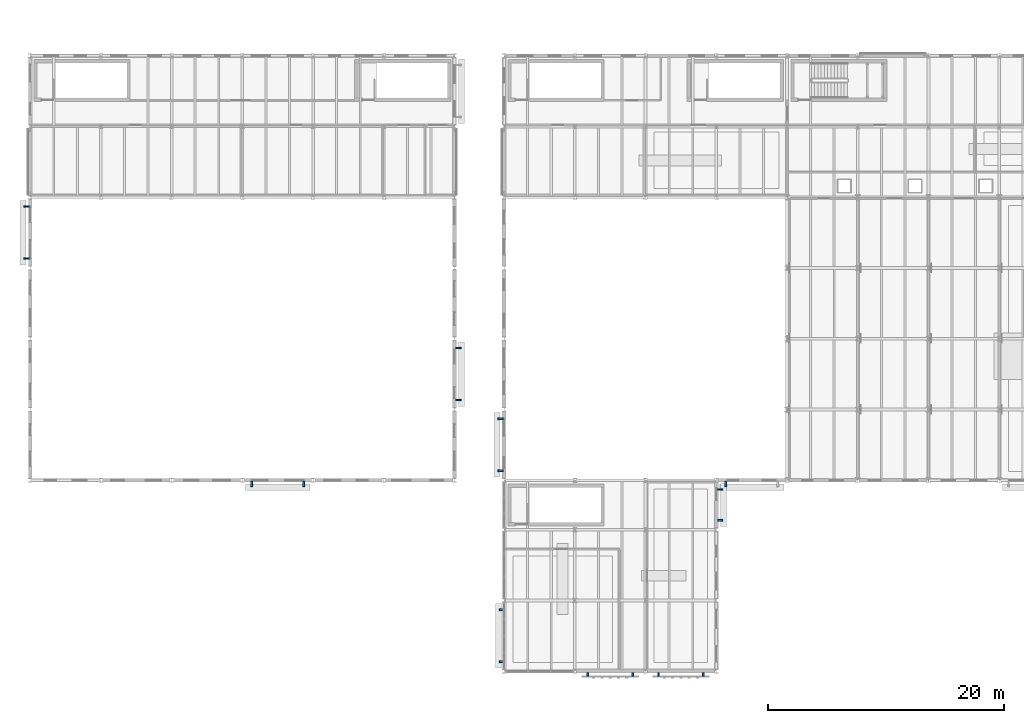
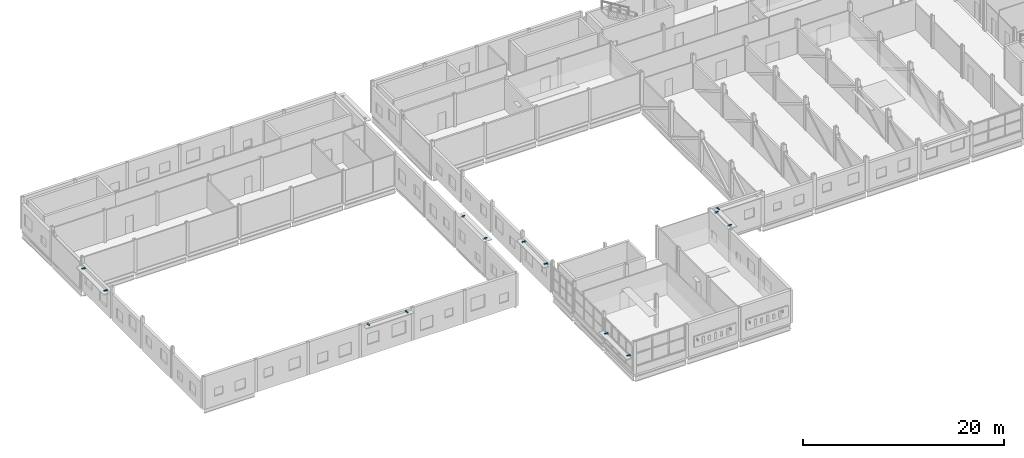
# One storey, part 81 of 92: 17 discrete accessories.
"""IFC4 building model written with IfcOpenShell, lengths in metres."""

from ifc_helpers import new_model, si_unit, direction, frame, origin, origin_2d, place, context, subcontext, project, spatial, rectangle, extrude, material, type_object, element, save


model = new_model("IFC4")

# Units and contexts
model_context = context("Model", 3, precision=1e-05, world=origin(), true_north=direction((0.0, 1.0)))
body_context = subcontext(model_context, "Body", "Model", "MODEL_VIEW")
ifc_project = project(units=[si_unit("LENGTHUNIT", "METRE"), si_unit("AREAUNIT", "SQUARE_METRE"), si_unit("VOLUMEUNIT", "CUBIC_METRE"), si_unit("PLANEANGLEUNIT", "RADIAN"), si_unit("MASSUNIT", "GRAM", prefix="KILO")], contexts=[model_context])

# Site, building, storey
site_placement = place(None, origin())
site = spatial("IfcSite", under=ifc_project, at=site_placement, CompositionType="ELEMENT")
building_placement = place(site_placement, origin())
building = spatial("IfcBuilding", under=site, at=building_placement, Name="Siltcreek Boulevard Central Fire Station", CompositionType="ELEMENT")
storey_placement = place(building_placement, frame((0.0, 0.0, 6.0)))
storey = spatial("IfcBuildingStorey", under=building, at=storey_placement, Name="L02", CompositionType="ELEMENT", Elevation=6.0)

# Discrete accessories
ifc_material = material(Name="Hot-dip galvanized steel facade outrigger bracket", Category="steel")
discrete_accessory_type = type_object("IfcDiscreteAccessoryType", Name="ACC_BRACKET", PredefinedType="BRACKET", material=ifc_material)
for number, where, z_axis, x_axis, name in (
    (1, (49.094970703125, 1.52490234375, 1.7001953125), (0.0, 0.0, 1.0), (1.0, 0.0, 0.0), "Architectural station sign bracket BK-003"),
    (2, (52.905029296875, 1.52490234375, 1.7001953125), (0.0, 0.0, 1.0), (1.0, 0.0, 0.0), "Architectural station sign bracket BK-004"),
    (3, (55.094970703125, 1.52490234375, 1.7001953125), (0.0, 0.0, 1.0), (1.0, 0.0, 0.0), "Architectural station sign bracket BK-005"),
    (4, (58.905029296875, 1.52490234375, 1.7001953125), (0.0, 0.0, 1.0), (1.0, 0.0, 0.0), "Architectural station sign bracket BK-006"),
):
    element("IfcDiscreteAccessory", number, at=place(storey_placement, frame(where, z_axis=z_axis, x_axis=x_axis)), inside=storey, type_object=discrete_accessory_type, Name=name, PredefinedType="BRACKET", context=body_context, shape_type="SweptSolid", body=[
        extrude(rectangle(XDim=0.159912109375, YDim=0.280029296875, at=origin_2d()), origin(), (0.0, 0.0, 1.0), 0.300048828125),
    ])
for number, where, z_axis, x_axis, name in (
    (5, (60.794921875, 17.679931640625, 3.7802734375), (0.0, 0.0, 1.0), (1.0, 0.0, 0.0), "Galvanized sunshade support bracket BK-007"),
    (6, (41.820068359375, 7.0048828125, 1.72509765625), (0.0, 0.0, 1.0), (0.0, -1.0, 0.0), "Galvanized sunshade support bracket BK-009"),
    (7, (41.820068359375, 2.594970703125, 1.72509765625), (0.0, 0.0, 1.0), (0.0, -1.0, 0.0), "Galvanized sunshade support bracket BK-010"),
    (8, (41.679931640625, 23.205078125, 3.09814453125), (0.0, 0.0, 1.0), (0.0, -1.0, 0.0), "Galvanized sunshade support bracket BK-011"),
    (9, (41.679931640625, 18.794921875, 3.09814453125), (0.0, 0.0, 1.0), (0.0, -1.0, 0.0), "Galvanized sunshade support bracket BK-012"),
    (10, (60.3349609375, 14.594970703125, 3.7802734375), (0.0, 0.0, 1.0), (0.0, 1.0, 0.0), "Galvanized sunshade support bracket BK-013"),
    (11, (60.3349609375, 17.205078125, 3.7802734375), (0.0, 0.0, 1.0), (0.0, 1.0, 0.0), "Galvanized sunshade support bracket BK-014"),
    (12, (20.594970703125, 17.679931640625, 3.7802734375), (0.0, 0.0, 1.0), (1.0, 0.0, 0.0), "Galvanized sunshade support bracket BK-131"),
    (13, (25.0048828125, 17.679931640625, 3.7802734375), (0.0, 0.0, 1.0), (1.0, 0.0, 0.0), "Galvanized sunshade support bracket BK-132"),
    (14, (1.47998046875, 41.205078125, 3.00927734375), (0.0, 0.0, 1.0), (0.0, -1.0, 0.0), "Galvanized sunshade support bracket BK-133"),
    (15, (1.47998046875, 36.794921875, 3.00927734375), (0.0, 0.0, 1.0), (0.0, -1.0, 0.0), "Galvanized sunshade support bracket BK-134"),
    (16, (38.1201171875, 24.794921875, 3.7802734375), (0.0, 0.0, 1.0), (0.0, 1.0, 0.0), "Galvanized sunshade support bracket BK-135"),
    (17, (38.1201171875, 29.205078125, 3.7802734375), (0.0, 0.0, 1.0), (0.0, 1.0, 0.0), "Galvanized sunshade support bracket BK-136"),
):
    element("IfcDiscreteAccessory", number, at=place(storey_placement, frame(where, z_axis=z_axis, x_axis=x_axis)), inside=storey, type_object=discrete_accessory_type, Name=name, PredefinedType="BRACKET", context=body_context, shape_type="SweptSolid", body=[
        extrude(rectangle(XDim=0.139892578125, YDim=0.4599609375, at=origin_2d()), origin(), (0.0, 0.0, 1.0), 0.159912109375),
    ])

save(model, "model.ifc")
